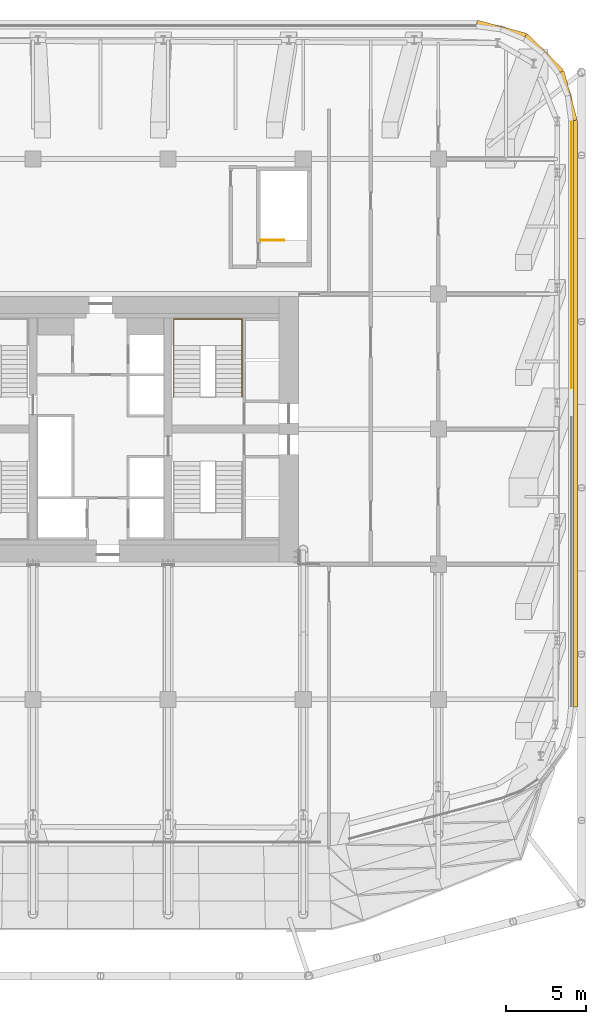
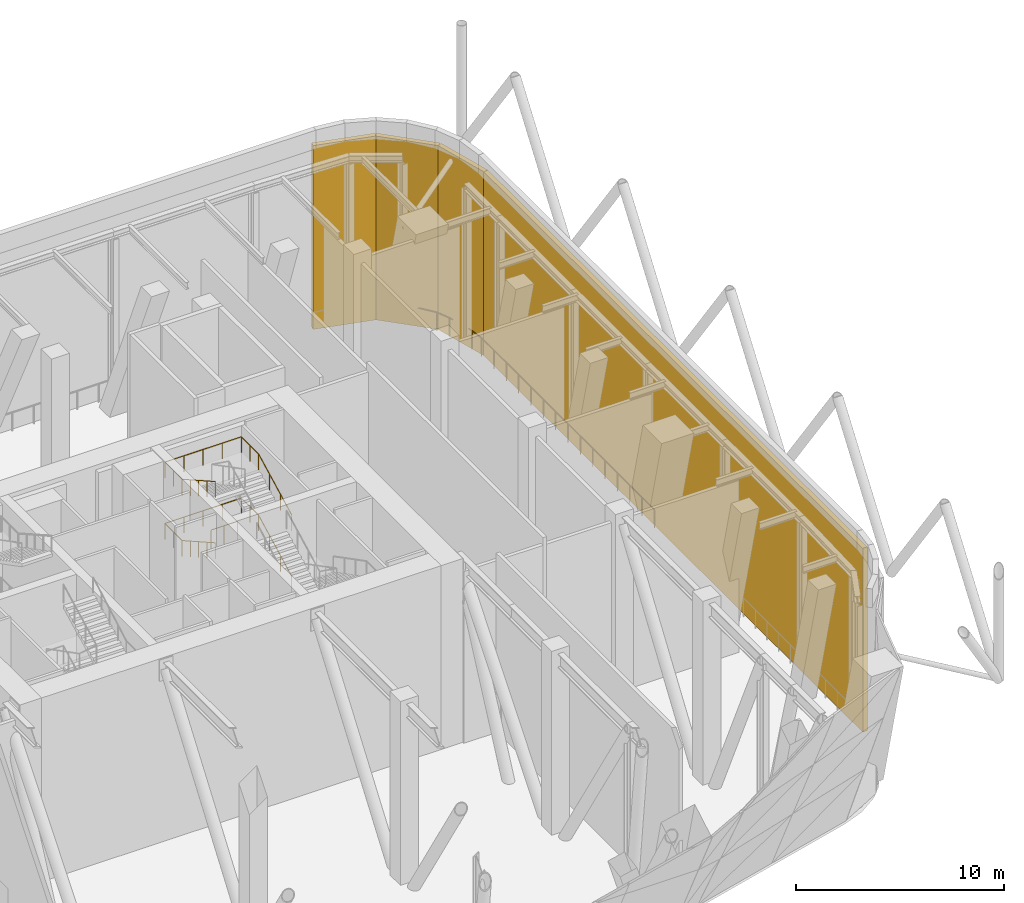
# One storey, part 19 of 19: 4 railings, 4 shading devices.
"""IFC4 building model written with IfcOpenShell, lengths in metres."""

from ifc_helpers import new_model, si_unit, direction, frame, frame_2d, origin, origin_2d, place, context, subcontext, project, spatial, rectangle, circle, extrude, material, layer, layer_set, type_object, element, save


model = new_model("IFC4")

# Units and contexts
model_context = context("Model", 3, precision=1e-05, world=origin(), true_north=direction((0.0, 1.0)))
body_context = subcontext(model_context, "Body", "Model", "MODEL_VIEW")
ifc_project = project(units=[si_unit("LENGTHUNIT", "METRE"), si_unit("AREAUNIT", "SQUARE_METRE"), si_unit("VOLUMEUNIT", "CUBIC_METRE"), si_unit("PLANEANGLEUNIT", "RADIAN"), si_unit("MASSUNIT", "GRAM", prefix="KILO")], contexts=[model_context])

# Site, building, storey
site_placement = place(None, origin())
site = spatial("IfcSite", under=ifc_project, at=site_placement, CompositionType="ELEMENT")
building_placement = place(site_placement, origin())
building = spatial("IfcBuilding", under=site, at=building_placement, Name="Marenta Gate Hotel Tower", CompositionType="ELEMENT")
storey_placement = place(building_placement, frame((0.0, 0.0, 86.89990234375)))
storey = spatial("IfcBuildingStorey", under=building, at=storey_placement, Name="L20", CompositionType="ELEMENT", Elevation=86.89990234375)

# Railings
ifc_material_1 = material(Name="Stainless steel", Category="steel")
railing_type_1 = type_object("IfcRailingType", Name="Core stair handrail 950", PredefinedType="HANDRAIL", material=ifc_material_1)
railing_1_placement = place(storey_placement, frame((8.800048828125, 10.39990234375, 3.75)))
element("IfcRailing", 1, at=railing_1_placement, inside=storey, type_object=railing_type_1, Name="HR-950 L20-KR-ST4-3", PredefinedType="HANDRAIL", context=body_context, shape_type="SweptSolid", body=[
    extrude(circle(Radius=0.02392578125, at=origin_2d()), frame((0.0, 0.0, 0.92578125), z_axis=(0.0, 0.888211904222, 0.459434013977), x_axis=(-1.0, 0.0, 0.0)), (0.0, 0.0, 1.0), 3.591796875),
    extrude(circle(Radius=0.02392578125, at=origin_2d()), frame((0.0, 3.190185546875, 2.576171875), z_axis=(0.0, 1.0, 0.0), x_axis=(-1.0, 0.0, 0.0)), (0.0, 0.0, 1.0), 1.659912109375),
    extrude(circle(Radius=0.02392578125, at=origin_2d()), frame((0.0, 4.85009765625, 2.576171875), z_axis=(-1.0, 0.0, 0.0), x_axis=(0.0, -1.0, 0.0)), (0.0, 0.0, 1.0), 4.25),
    extrude(circle(Radius=0.02392578125, at=origin_2d()), frame((-4.25, 4.85009765625, 2.576171875), z_axis=(0.0, -1.0, 0.0), x_axis=(1.0, 0.0, 0.0)), (0.0, 0.0, 1.0), 1.659912109375),
    extrude(circle(Radius=0.02392578125, at=origin_2d()), frame((-4.25, 3.190185546875, 2.576171875), z_axis=(0.0, -0.870925075533, 0.491415824742), x_axis=(1.0, 0.0, 0.0)), (0.0, 0.0, 1.0), 3.6630859375),
    extrude(circle(Radius=0.02099609375, at=origin_2d()), origin(), (0.0, 0.0, 1.0), 0.90185546875),
    extrude(circle(Radius=0.02099609375, at=origin_2d()), frame((0.0, 1.0634765625, 0.550048828125)), (0.0, 0.0, 1.0), 0.90185546875),
    extrude(circle(Radius=0.02099609375, at=origin_2d()), frame((0.0, 2.126708984375, 1.10009765625)), (0.0, 0.0, 1.0), 0.90185546875),
    extrude(circle(Radius=0.02099609375, at=origin_2d()), frame((0.0, 3.190185546875, 1.650146484375)), (0.0, 0.0, 1.0), 0.90185546875),
    extrude(circle(Radius=0.02099609375, at=origin_2d()), frame((0.0, 4.02001953125, 1.650146484375)), (0.0, 0.0, 1.0), 0.90185546875),
    extrude(circle(Radius=0.02099609375, at=origin_2d()), frame((0.0, 4.85009765625, 1.650146484375)), (0.0, 0.0, 1.0), 0.90185546875),
    extrude(circle(Radius=0.02099609375, at=origin_2d()), frame((-1.0625, 4.85009765625, 1.650146484375)), (0.0, 0.0, 1.0), 0.90185546875),
    extrude(circle(Radius=0.02099609375, at=origin_2d()), frame((-2.125, 4.85009765625, 1.650146484375)), (0.0, 0.0, 1.0), 0.90185546875),
    extrude(circle(Radius=0.02099609375, at=origin_2d()), frame((-3.1875, 4.85009765625, 1.650146484375)), (0.0, 0.0, 1.0), 0.90185546875),
    extrude(circle(Radius=0.02099609375, at=origin_2d()), frame((-4.25, 4.85009765625, 1.650146484375)), (0.0, 0.0, 1.0), 0.90185546875),
    extrude(circle(Radius=0.02099609375, at=origin_2d()), frame((-4.25, 4.02001953125, 1.650146484375)), (0.0, 0.0, 1.0), 0.90185546875),
    extrude(circle(Radius=0.02099609375, at=origin_2d()), frame((-4.25, 3.190185546875, 1.650146484375)), (0.0, 0.0, 1.0), 0.90185546875),
    extrude(circle(Radius=0.02099609375, at=origin_2d()), frame((-4.25, 2.392578125, 2.10009765625)), (0.0, 0.0, 1.0), 0.90185546875),
    extrude(circle(Radius=0.02099609375, at=origin_2d()), frame((-4.25, 1.59521484375, 2.55029296875)), (0.0, 0.0, 1.0), 0.90185546875),
    extrude(circle(Radius=0.02099609375, at=origin_2d()), frame((-4.25, 0.797607421875, 3.000244140625)), (0.0, 0.0, 1.0), 0.90185546875),
    extrude(circle(Radius=0.02099609375, at=origin_2d()), frame((-4.25, 0.0, 3.4501953125)), (0.0, 0.0, 1.0), 0.90185546875),
])
railing_2_placement = place(storey_placement, frame((8.800048828125, 10.39990234375, 7.35009765625)))
element("IfcRailing", 2, at=railing_2_placement, inside=storey, type_object=railing_type_1, Name="HR-950 L20-KR-ST4-5", PredefinedType="HANDRAIL", context=body_context, shape_type="SweptSolid", body=[
    extrude(circle(Radius=0.02392578125, at=origin_2d()), frame((0.0, 0.0, 0.92578125), z_axis=(0.0, 0.888239641807, 0.459380385653), x_axis=(-1.0, 0.0, 0.0)), (0.0, 0.0, 1.0), 3.591552734375),
    extrude(circle(Radius=0.02392578125, at=origin_2d()), frame((0.0, 3.190185546875, 2.57568359375), z_axis=(0.0, 1.0, 0.0), x_axis=(-1.0, 0.0, 0.0)), (0.0, 0.0, 1.0), 1.659912109375),
    extrude(circle(Radius=0.02392578125, at=origin_2d()), frame((0.0, 4.85009765625, 2.57568359375), z_axis=(-1.0, 0.0, 0.0), x_axis=(0.0, -1.0, 0.0)), (0.0, 0.0, 1.0), 4.25),
    extrude(circle(Radius=0.02392578125, at=origin_2d()), frame((-4.25, 4.85009765625, 2.57568359375), z_axis=(0.0, -1.0, 0.0), x_axis=(1.0, 0.0, 0.0)), (0.0, 0.0, 1.0), 1.659912109375),
    extrude(circle(Radius=0.02392578125, at=origin_2d()), frame((-4.25, 3.190185546875, 2.57568359375), z_axis=(0.0, -0.870925075533, 0.491415824742), x_axis=(1.0, 0.0, 0.0)), (0.0, 0.0, 1.0), 3.6630859375),
    extrude(circle(Radius=0.02099609375, at=origin_2d()), origin(), (0.0, 0.0, 1.0), 0.90185546875),
    extrude(circle(Radius=0.02099609375, at=origin_2d()), frame((0.0, 1.0634765625, 0.550048828125)), (0.0, 0.0, 1.0), 0.90185546875),
    extrude(circle(Radius=0.02099609375, at=origin_2d()), frame((0.0, 2.126708984375, 1.099853515625)), (0.0, 0.0, 1.0), 0.90185546875),
    extrude(circle(Radius=0.02099609375, at=origin_2d()), frame((0.0, 3.190185546875, 1.64990234375)), (0.0, 0.0, 1.0), 0.90185546875),
    extrude(circle(Radius=0.02099609375, at=origin_2d()), frame((0.0, 4.02001953125, 1.64990234375)), (0.0, 0.0, 1.0), 0.90185546875),
    extrude(circle(Radius=0.02099609375, at=origin_2d()), frame((0.0, 4.85009765625, 1.64990234375)), (0.0, 0.0, 1.0), 0.90185546875),
    extrude(circle(Radius=0.02099609375, at=origin_2d()), frame((-1.0625, 4.85009765625, 1.64990234375)), (0.0, 0.0, 1.0), 0.90185546875),
    extrude(circle(Radius=0.02099609375, at=origin_2d()), frame((-2.125, 4.85009765625, 1.64990234375)), (0.0, 0.0, 1.0), 0.90185546875),
    extrude(circle(Radius=0.02099609375, at=origin_2d()), frame((-3.1875, 4.85009765625, 1.64990234375)), (0.0, 0.0, 1.0), 0.90185546875),
    extrude(circle(Radius=0.02099609375, at=origin_2d()), frame((-4.25, 4.85009765625, 1.64990234375)), (0.0, 0.0, 1.0), 0.90185546875),
    extrude(circle(Radius=0.02099609375, at=origin_2d()), frame((-4.25, 4.02001953125, 1.64990234375)), (0.0, 0.0, 1.0), 0.90185546875),
    extrude(circle(Radius=0.02099609375, at=origin_2d()), frame((-4.25, 3.190185546875, 1.64990234375)), (0.0, 0.0, 1.0), 0.90185546875),
    extrude(circle(Radius=0.02099609375, at=origin_2d()), frame((-4.25, 2.392578125, 2.099853515625)), (0.0, 0.0, 1.0), 0.90185546875),
    extrude(circle(Radius=0.02099609375, at=origin_2d()), frame((-4.25, 1.59521484375, 2.5498046875)), (0.0, 0.0, 1.0), 0.90185546875),
    extrude(circle(Radius=0.02099609375, at=origin_2d()), frame((-4.25, 0.797607421875, 3.0)), (0.0, 0.0, 1.0), 0.90185546875),
    extrude(circle(Radius=0.02099609375, at=origin_2d()), frame((-4.25, 0.0, 3.449951171875)), (0.0, 0.0, 1.0), 0.90185546875),
])
ifc_material_2 = material(Name="Stainless steel", Category="steel")
railing_type_2 = type_object("IfcRailingType", Name="Core stair well guard 1100", PredefinedType="GUARDRAIL", material=ifc_material_2)
railing_3_placement = place(storey_placement, frame((9.949951171875, 20.14990234375, 0.0)))
element("IfcRailing", 3, at=railing_3_placement, inside=storey, type_object=railing_type_2, Name="GR-1100 L20-RS-Z1-4-KR-1", PredefinedType="GUARDRAIL", context=body_context, shape_type="SweptSolid", body=[
    extrude(circle(Radius=0.02392578125, at=origin_2d()), frame((0.0, 0.0, 1.076171875), z_axis=(1.0, 0.0, 0.0), x_axis=(0.0, 1.0, 0.0)), (0.0, 0.0, 1.0), 1.449951171875),
    extrude(circle(Radius=0.02099609375, at=origin_2d()), origin(), (0.0, 0.0, 1.0), 1.052001953125),
    extrude(circle(Radius=0.02099609375, at=origin_2d()), frame((0.72509765625, 0.0, 0.0)), (0.0, 0.0, 1.0), 1.052001953125),
    extrude(circle(Radius=0.02099609375, at=origin_2d()), frame((1.449951171875, 0.0, 0.0)), (0.0, 0.0, 1.0), 1.052001953125),
])
ifc_material_3 = material(Name="Stainless steel", Category="steel")
railing_type_3 = type_object("IfcRailingType", Name="Guard 1100 stainless balustrade", PredefinedType="GUARDRAIL", material=ifc_material_3)
railing_4_placement = place(storey_placement, frame((27.85546875, 31.3681640625, 0.0)))
element("IfcRailing", 4, at=railing_4_placement, inside=storey, type_object=railing_type_3, Name="Guard", PredefinedType="GUARDRAIL", context=body_context, shape_type="SweptSolid", body=[
    extrude(circle(Radius=0.02392578125, at=origin_2d()), frame((0.0, 0.0, 1.076171875), z_axis=(0.608863254687, -0.793275196317, 0.0), x_axis=(0.793275196317, 0.608863254687, 0.0)), (0.0, 0.0, 1.0), 1.04443359375),
    extrude(circle(Radius=0.02392578125, at=origin_2d()), frame((0.635986328125, -0.82861328125, 1.076171875), z_axis=(0.382581272365, -0.923921841952, 0.0), x_axis=(0.923921841952, 0.382581272365, 0.0)), (0.0, 0.0, 1.0), 1.53466796875),
    extrude(circle(Radius=0.02392578125, at=origin_2d()), frame((1.22314453125, -2.24658203125, 1.076171875), z_axis=(0.130556852376, -0.991440824405, 0.0), x_axis=(0.991440824405, 0.130556852376, 0.0)), (0.0, 0.0, 1.0), 1.542724609375),
    extrude(circle(Radius=0.02392578125, at=origin_2d()), frame((1.424560546875, -3.776123046875, 1.076171875), z_axis=(0.0, -1.0, 0.0), x_axis=(1.0, 0.0, 0.0)), (0.0, 0.0, 1.0), 16.6220703125),
    extrude(circle(Radius=0.02099609375, at=origin_2d()), origin(), (0.0, 0.0, 1.0), 1.052001953125),
    extrude(circle(Radius=0.02099609375, at=origin_2d()), frame((0.635986328125, -0.82861328125, 0.0)), (0.0, 0.0, 1.0), 1.052001953125),
    extrude(circle(Radius=0.02099609375, at=origin_2d()), frame((0.9296875, -1.53759765625, 0.0)), (0.0, 0.0, 1.0), 1.052001953125),
    extrude(circle(Radius=0.02099609375, at=origin_2d()), frame((1.22314453125, -2.24658203125, 0.0)), (0.0, 0.0, 1.0), 1.052001953125),
    extrude(circle(Radius=0.02099609375, at=origin_2d()), frame((1.32373046875, -3.01123046875, 0.0)), (0.0, 0.0, 1.0), 1.052001953125),
    extrude(circle(Radius=0.02099609375, at=origin_2d()), frame((1.424560546875, -3.776123046875, 0.0)), (0.0, 0.0, 1.0), 1.052001953125),
    extrude(circle(Radius=0.02099609375, at=origin_2d()), frame((1.424560546875, -4.96337890625, 0.0)), (0.0, 0.0, 1.0), 1.052001953125),
    extrude(circle(Radius=0.02099609375, at=origin_2d()), frame((1.424560546875, -6.150634765625, 0.0)), (0.0, 0.0, 1.0), 1.052001953125),
    extrude(circle(Radius=0.02099609375, at=origin_2d()), frame((1.424560546875, -7.337890625, 0.0)), (0.0, 0.0, 1.0), 1.052001953125),
    extrude(circle(Radius=0.02099609375, at=origin_2d()), frame((1.424560546875, -8.525390625, 0.0)), (0.0, 0.0, 1.0), 1.052001953125),
    extrude(circle(Radius=0.02099609375, at=origin_2d()), frame((1.424560546875, -9.712646484375, 0.0)), (0.0, 0.0, 1.0), 1.052001953125),
    extrude(circle(Radius=0.02099609375, at=origin_2d()), frame((1.424560546875, -10.89990234375, 0.0)), (0.0, 0.0, 1.0), 1.052001953125),
    extrude(circle(Radius=0.02099609375, at=origin_2d()), frame((1.424560546875, -12.087158203125, 0.0)), (0.0, 0.0, 1.0), 1.052001953125),
    extrude(circle(Radius=0.02099609375, at=origin_2d()), frame((1.424560546875, -13.2744140625, 0.0)), (0.0, 0.0, 1.0), 1.052001953125),
    extrude(circle(Radius=0.02099609375, at=origin_2d()), frame((1.424560546875, -14.461669921875, 0.0)), (0.0, 0.0, 1.0), 1.052001953125),
    extrude(circle(Radius=0.02099609375, at=origin_2d()), frame((1.424560546875, -15.64892578125, 0.0)), (0.0, 0.0, 1.0), 1.052001953125),
    extrude(circle(Radius=0.02099609375, at=origin_2d()), frame((1.424560546875, -16.83642578125, 0.0)), (0.0, 0.0, 1.0), 1.052001953125),
    extrude(circle(Radius=0.02099609375, at=origin_2d()), frame((1.424560546875, -18.023681640625, 0.0)), (0.0, 0.0, 1.0), 1.052001953125),
    extrude(circle(Radius=0.02099609375, at=origin_2d()), frame((1.424560546875, -19.2109375, 0.0)), (0.0, 0.0, 1.0), 1.052001953125),
    extrude(circle(Radius=0.02099609375, at=origin_2d()), frame((1.424560546875, -20.398193359375, 0.0)), (0.0, 0.0, 1.0), 1.052001953125),
])

# Shading devices
ifc_material_4 = material(Name="Bronze anodised aluminium louvre", Category="aluminium")
ifc_layer = layer(ifc_material_4, 0.25)
ifc_layer_set = layer_set([ifc_layer], Name="Bronze anodised aluminium louvre")
shading_device_type = type_object("IfcShadingDeviceType", Name="Louvred plant screen 250 mm", PredefinedType="JALOUSIE", material=ifc_layer_set)
shading_device_1_placement = place(storey_placement, frame((29.519775390625, -8.890869140625, 0.0), z_axis=(0.0, 0.0, 1.0), x_axis=(0.0, 1.0, 0.0)))
element("IfcShadingDevice", 5, at=shading_device_1_placement, inside=storey, type_object=shading_device_type, Name="Louvred plant screen", PredefinedType="JALOUSIE", context=body_context, shape_type="SweptSolid", body=[
    extrude(rectangle(XDim=36.498779296875, YDim=0.25, at=frame_2d((18.24951171875, 0.0))), origin(), (0.0, 0.0, 1.0), 10.800048828125),
])
shading_device_2_placement = place(storey_placement, frame((29.519775390625, 27.60791015625, 0.0), z_axis=(0.0, 0.0, 1.0), x_axis=(-0.259350039314, 0.965783390367, 0.0)))
element("IfcShadingDevice", 6, at=shading_device_2_placement, inside=storey, type_object=shading_device_type, Name="Louvred plant screen", PredefinedType="JALOUSIE", context=body_context, shape_type="SweptSolid", body=[
    extrude(rectangle(XDim=3.16015625, YDim=0.25, at=frame_2d((1.580078125, 0.0))), origin(), (0.0, 0.0, 1.0), 10.800048828125),
])
shading_device_3_placement = place(storey_placement, frame((28.7001953125, 30.659912109375, 0.0), z_axis=(0.0, 0.0, 1.0), x_axis=(-0.707106781187, 0.707106781187, 0.0)))
element("IfcShadingDevice", 7, at=shading_device_3_placement, inside=storey, type_object=shading_device_type, Name="Louvred plant screen", PredefinedType="JALOUSIE", context=body_context, shape_type="SweptSolid", body=[
    extrude(rectangle(XDim=3.168212890625, YDim=0.25, at=frame_2d((1.583984375, 0.0))), origin(), (0.0, 0.0, 1.0), 10.800048828125),
])
shading_device_4_placement = place(storey_placement, frame((26.4599609375, 32.900146484375, 0.0), z_axis=(0.0, 0.0, 1.0), x_axis=(-0.965788586245, 0.259330689812, 0.0)))
element("IfcShadingDevice", 8, at=shading_device_4_placement, inside=storey, type_object=shading_device_type, Name="Louvred plant screen", PredefinedType="JALOUSIE", context=body_context, shape_type="SweptSolid", body=[
    extrude(rectangle(XDim=3.160400390625, YDim=0.25, at=frame_2d((1.580078125, 0.0))), origin(), (0.0, 0.0, 1.0), 10.800048828125),
])

save(model, "model.ifc")
